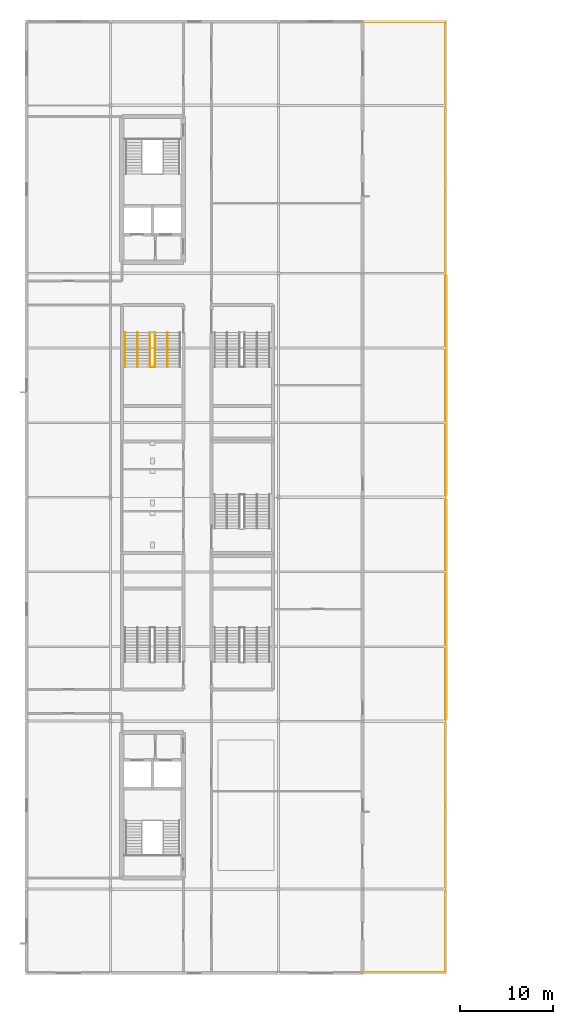
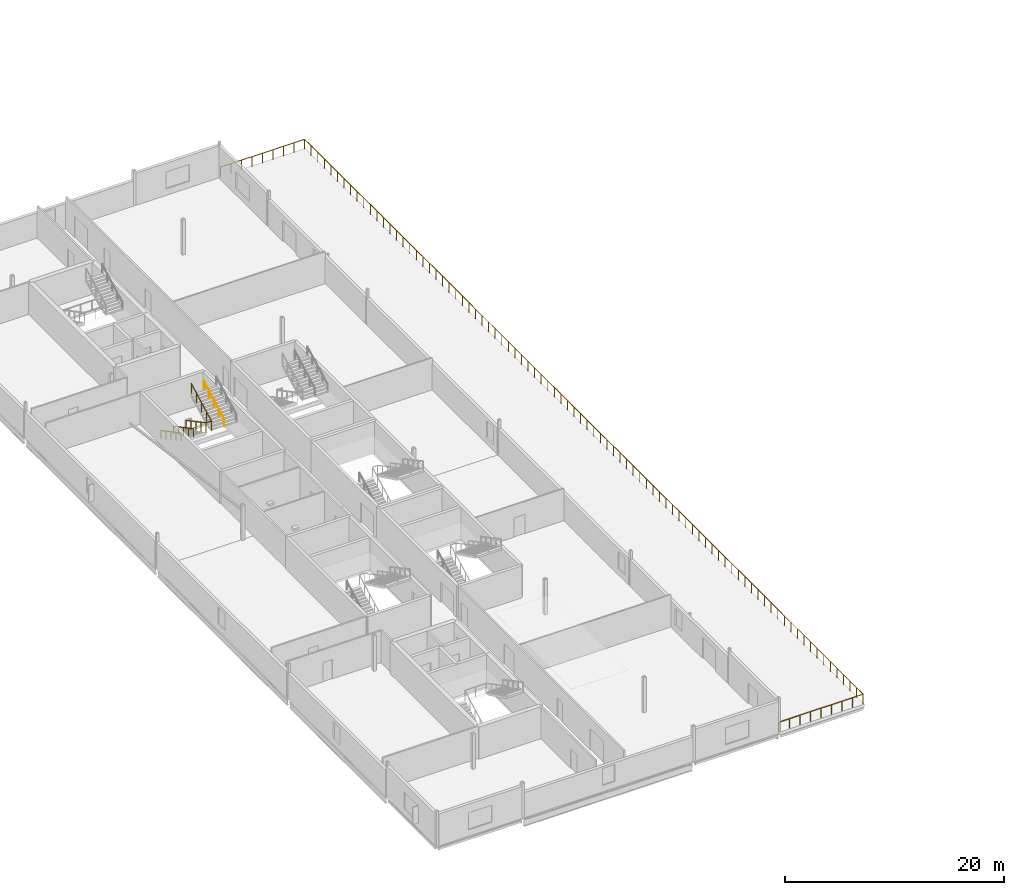
# One storey, part 49 of 55: 5 railings.
"""IFC4 building model written with IfcOpenShell, lengths in metres."""

from ifc_helpers import new_model, si_unit, direction, frame, origin, origin_2d, place, context, subcontext, project, spatial, circle, extrude, material, type_object, element, save


model = new_model("IFC4")

# Units and contexts
model_context = context("Model", 3, precision=1e-05, world=origin(), true_north=direction((0.0, 1.0)))
body_context = subcontext(model_context, "Body", "Model", "MODEL_VIEW")
ifc_project = project(units=[si_unit("LENGTHUNIT", "METRE"), si_unit("AREAUNIT", "SQUARE_METRE"), si_unit("VOLUMEUNIT", "CUBIC_METRE"), si_unit("PLANEANGLEUNIT", "RADIAN"), si_unit("MASSUNIT", "GRAM", prefix="KILO")], contexts=[model_context])

# Site, building, storey
site_placement = place(None, origin())
site = spatial("IfcSite", under=ifc_project, at=site_placement, CompositionType="ELEMENT")
building_placement = place(site_placement, origin())
building = spatial("IfcBuilding", under=site, at=building_placement, Name="Kisiwana Market Hall", CompositionType="ELEMENT")
storey_placement = place(building_placement, frame((0.0, 0.0, 37.800048828125)))
storey = spatial("IfcBuildingStorey", under=building, at=storey_placement, Name="L08", CompositionType="ELEMENT", Elevation=37.800048828125)

# Railings
ifc_material_1 = material(Name="Steel S275", Category="steel")
railing_type_1 = type_object("IfcRailingType", Name="RL-GUARD-1100", PredefinedType="GUARDRAIL", material=ifc_material_1)
railing_1_placement = place(storey_placement, frame((36.050048828125, 9.080078125, 0.0)))
element("IfcRailing", 1, at=railing_1_placement, inside=storey, type_object=railing_type_1, Name="L08 West Setback Terrace Guardrail 1100 RL-1700", PredefinedType="GUARDRAIL", context=body_context, shape_type="SweptSolid", body=[
    extrude(circle(Radius=0.02392578125, at=origin_2d()), frame((0.0, 0.0, 1.076171875), z_axis=(1.0, 0.0, 0.0), x_axis=(0.0, 1.0, 0.0)), (0.0, 0.0, 1.0), 8.869873046875),
    extrude(circle(Radius=0.02392578125, at=origin_2d()), frame((8.869873046875, 0.0, 1.076171875), z_axis=(0.0, 1.0, 0.0), x_axis=(-1.0, 0.0, 0.0)), (0.0, 0.0, 1.0), 101.83984375),
    extrude(circle(Radius=0.02392578125, at=origin_2d()), frame((8.869873046875, 101.83984375, 1.076171875), z_axis=(-1.0, 0.0, 0.0), x_axis=(0.0, -1.0, 0.0)), (0.0, 0.0, 1.0), 8.869873046875),
    extrude(circle(Radius=0.02099609375, at=origin_2d()), origin(), (0.0, 0.0, 1.0), 1.052001953125),
    extrude(circle(Radius=0.02099609375, at=origin_2d()), frame((1.108642578125, 0.0, 0.0)), (0.0, 0.0, 1.0), 1.052001953125),
    extrude(circle(Radius=0.02099609375, at=origin_2d()), frame((2.217529296875, 0.0, 0.0)), (0.0, 0.0, 1.0), 1.052001953125),
    extrude(circle(Radius=0.02099609375, at=origin_2d()), frame((3.326171875, 0.0, 0.0)), (0.0, 0.0, 1.0), 1.052001953125),
    extrude(circle(Radius=0.02099609375, at=origin_2d()), frame((4.43505859375, 0.0, 0.0)), (0.0, 0.0, 1.0), 1.052001953125),
    extrude(circle(Radius=0.02099609375, at=origin_2d()), frame((5.543701171875, 0.0, 0.0)), (0.0, 0.0, 1.0), 1.052001953125),
    extrude(circle(Radius=0.02099609375, at=origin_2d()), frame((6.65234375, 0.0, 0.0)), (0.0, 0.0, 1.0), 1.052001953125),
    extrude(circle(Radius=0.02099609375, at=origin_2d()), frame((7.76123046875, 0.0, 0.0)), (0.0, 0.0, 1.0), 1.052001953125),
    extrude(circle(Radius=0.02099609375, at=origin_2d()), frame((8.869873046875, 0.0, 0.0)), (0.0, 0.0, 1.0), 1.052001953125),
    extrude(circle(Radius=0.02099609375, at=origin_2d()), frame((8.869873046875, 1.197998046875, 0.0)), (0.0, 0.0, 1.0), 1.052001953125),
    extrude(circle(Radius=0.02099609375, at=origin_2d()), frame((8.869873046875, 2.396240234375, 0.0)), (0.0, 0.0, 1.0), 1.052001953125),
    extrude(circle(Radius=0.02099609375, at=origin_2d()), frame((8.869873046875, 3.59423828125, 0.0)), (0.0, 0.0, 1.0), 1.052001953125),
    extrude(circle(Radius=0.02099609375, at=origin_2d()), frame((8.869873046875, 4.79248046875, 0.0)), (0.0, 0.0, 1.0), 1.052001953125),
    extrude(circle(Radius=0.02099609375, at=origin_2d()), frame((8.869873046875, 5.990478515625, 0.0)), (0.0, 0.0, 1.0), 1.052001953125),
    extrude(circle(Radius=0.02099609375, at=origin_2d()), frame((8.869873046875, 7.188720703125, 0.0)), (0.0, 0.0, 1.0), 1.052001953125),
    extrude(circle(Radius=0.02099609375, at=origin_2d()), frame((8.869873046875, 8.38671875, 0.0)), (0.0, 0.0, 1.0), 1.052001953125),
    extrude(circle(Radius=0.02099609375, at=origin_2d()), frame((8.869873046875, 9.5849609375, 0.0)), (0.0, 0.0, 1.0), 1.052001953125),
    extrude(circle(Radius=0.02099609375, at=origin_2d()), frame((8.869873046875, 10.782958984375, 0.0)), (0.0, 0.0, 1.0), 1.052001953125),
    extrude(circle(Radius=0.02099609375, at=origin_2d()), frame((8.869873046875, 11.981201171875, 0.0)), (0.0, 0.0, 1.0), 1.052001953125),
    extrude(circle(Radius=0.02099609375, at=origin_2d()), frame((8.869873046875, 13.17919921875, 0.0)), (0.0, 0.0, 1.0), 1.052001953125),
    extrude(circle(Radius=0.02099609375, at=origin_2d()), frame((8.869873046875, 14.37744140625, 0.0)), (0.0, 0.0, 1.0), 1.052001953125),
    extrude(circle(Radius=0.02099609375, at=origin_2d()), frame((8.869873046875, 15.575439453125, 0.0)), (0.0, 0.0, 1.0), 1.052001953125),
    extrude(circle(Radius=0.02099609375, at=origin_2d()), frame((8.869873046875, 16.773681640625, 0.0)), (0.0, 0.0, 1.0), 1.052001953125),
    extrude(circle(Radius=0.02099609375, at=origin_2d()), frame((8.869873046875, 17.9716796875, 0.0)), (0.0, 0.0, 1.0), 1.052001953125),
    extrude(circle(Radius=0.02099609375, at=origin_2d()), frame((8.869873046875, 19.169921875, 0.0)), (0.0, 0.0, 1.0), 1.052001953125),
    extrude(circle(Radius=0.02099609375, at=origin_2d()), frame((8.869873046875, 20.367919921875, 0.0)), (0.0, 0.0, 1.0), 1.052001953125),
    extrude(circle(Radius=0.02099609375, at=origin_2d()), frame((8.869873046875, 21.566162109375, 0.0)), (0.0, 0.0, 1.0), 1.052001953125),
    extrude(circle(Radius=0.02099609375, at=origin_2d()), frame((8.869873046875, 22.76416015625, 0.0)), (0.0, 0.0, 1.0), 1.052001953125),
    extrude(circle(Radius=0.02099609375, at=origin_2d()), frame((8.869873046875, 23.96240234375, 0.0)), (0.0, 0.0, 1.0), 1.052001953125),
    extrude(circle(Radius=0.02099609375, at=origin_2d()), frame((8.869873046875, 25.160400390625, 0.0)), (0.0, 0.0, 1.0), 1.052001953125),
    extrude(circle(Radius=0.02099609375, at=origin_2d()), frame((8.869873046875, 26.358642578125, 0.0)), (0.0, 0.0, 1.0), 1.052001953125),
    extrude(circle(Radius=0.02099609375, at=origin_2d()), frame((8.869873046875, 27.556640625, 0.0)), (0.0, 0.0, 1.0), 1.052001953125),
    extrude(circle(Radius=0.02099609375, at=origin_2d()), frame((8.869873046875, 28.7548828125, 0.0)), (0.0, 0.0, 1.0), 1.052001953125),
    extrude(circle(Radius=0.02099609375, at=origin_2d()), frame((8.869873046875, 29.952880859375, 0.0)), (0.0, 0.0, 1.0), 1.052001953125),
    extrude(circle(Radius=0.02099609375, at=origin_2d()), frame((8.869873046875, 31.151123046875, 0.0)), (0.0, 0.0, 1.0), 1.052001953125),
    extrude(circle(Radius=0.02099609375, at=origin_2d()), frame((8.869873046875, 32.34912109375, 0.0)), (0.0, 0.0, 1.0), 1.052001953125),
    extrude(circle(Radius=0.02099609375, at=origin_2d()), frame((8.869873046875, 33.54736328125, 0.0)), (0.0, 0.0, 1.0), 1.052001953125),
    extrude(circle(Radius=0.02099609375, at=origin_2d()), frame((8.869873046875, 34.745361328125, 0.0)), (0.0, 0.0, 1.0), 1.052001953125),
    extrude(circle(Radius=0.02099609375, at=origin_2d()), frame((8.869873046875, 35.943359375, 0.0)), (0.0, 0.0, 1.0), 1.052001953125),
    extrude(circle(Radius=0.02099609375, at=origin_2d()), frame((8.869873046875, 37.1416015625, 0.0)), (0.0, 0.0, 1.0), 1.052001953125),
    extrude(circle(Radius=0.02099609375, at=origin_2d()), frame((8.869873046875, 38.339599609375, 0.0)), (0.0, 0.0, 1.0), 1.052001953125),
    extrude(circle(Radius=0.02099609375, at=origin_2d()), frame((8.869873046875, 39.537841796875, 0.0)), (0.0, 0.0, 1.0), 1.052001953125),
    extrude(circle(Radius=0.02099609375, at=origin_2d()), frame((8.869873046875, 40.73583984375, 0.0)), (0.0, 0.0, 1.0), 1.052001953125),
    extrude(circle(Radius=0.02099609375, at=origin_2d()), frame((8.869873046875, 41.93408203125, 0.0)), (0.0, 0.0, 1.0), 1.052001953125),
    extrude(circle(Radius=0.02099609375, at=origin_2d()), frame((8.869873046875, 43.132080078125, 0.0)), (0.0, 0.0, 1.0), 1.052001953125),
    extrude(circle(Radius=0.02099609375, at=origin_2d()), frame((8.869873046875, 44.330322265625, 0.0)), (0.0, 0.0, 1.0), 1.052001953125),
    extrude(circle(Radius=0.02099609375, at=origin_2d()), frame((8.869873046875, 45.5283203125, 0.0)), (0.0, 0.0, 1.0), 1.052001953125),
    extrude(circle(Radius=0.02099609375, at=origin_2d()), frame((8.869873046875, 46.7265625, 0.0)), (0.0, 0.0, 1.0), 1.052001953125),
    extrude(circle(Radius=0.02099609375, at=origin_2d()), frame((8.869873046875, 47.924560546875, 0.0)), (0.0, 0.0, 1.0), 1.052001953125),
    extrude(circle(Radius=0.02099609375, at=origin_2d()), frame((8.869873046875, 49.122802734375, 0.0)), (0.0, 0.0, 1.0), 1.052001953125),
    extrude(circle(Radius=0.02099609375, at=origin_2d()), frame((8.869873046875, 50.32080078125, 0.0)), (0.0, 0.0, 1.0), 1.052001953125),
    extrude(circle(Radius=0.02099609375, at=origin_2d()), frame((8.869873046875, 51.51904296875, 0.0)), (0.0, 0.0, 1.0), 1.052001953125),
    extrude(circle(Radius=0.02099609375, at=origin_2d()), frame((8.869873046875, 52.717041015625, 0.0)), (0.0, 0.0, 1.0), 1.052001953125),
    extrude(circle(Radius=0.02099609375, at=origin_2d()), frame((8.869873046875, 53.915283203125, 0.0)), (0.0, 0.0, 1.0), 1.052001953125),
    extrude(circle(Radius=0.02099609375, at=origin_2d()), frame((8.869873046875, 55.11328125, 0.0)), (0.0, 0.0, 1.0), 1.052001953125),
    extrude(circle(Radius=0.02099609375, at=origin_2d()), frame((8.869873046875, 56.3115234375, 0.0)), (0.0, 0.0, 1.0), 1.052001953125),
    extrude(circle(Radius=0.02099609375, at=origin_2d()), frame((8.869873046875, 57.509521484375, 0.0)), (0.0, 0.0, 1.0), 1.052001953125),
    extrude(circle(Radius=0.02099609375, at=origin_2d()), frame((8.869873046875, 58.707763671875, 0.0)), (0.0, 0.0, 1.0), 1.052001953125),
    extrude(circle(Radius=0.02099609375, at=origin_2d()), frame((8.869873046875, 59.90576171875, 0.0)), (0.0, 0.0, 1.0), 1.052001953125),
    extrude(circle(Radius=0.02099609375, at=origin_2d()), frame((8.869873046875, 61.10400390625, 0.0)), (0.0, 0.0, 1.0), 1.052001953125),
    extrude(circle(Radius=0.02099609375, at=origin_2d()), frame((8.869873046875, 62.302001953125, 0.0)), (0.0, 0.0, 1.0), 1.052001953125),
    extrude(circle(Radius=0.02099609375, at=origin_2d()), frame((8.869873046875, 63.500244140625, 0.0)), (0.0, 0.0, 1.0), 1.052001953125),
    extrude(circle(Radius=0.02099609375, at=origin_2d()), frame((8.869873046875, 64.6982421875, 0.0)), (0.0, 0.0, 1.0), 1.052001953125),
    extrude(circle(Radius=0.02099609375, at=origin_2d()), frame((8.869873046875, 65.896484375, 0.0)), (0.0, 0.0, 1.0), 1.052001953125),
    extrude(circle(Radius=0.02099609375, at=origin_2d()), frame((8.869873046875, 67.094482421875, 0.0)), (0.0, 0.0, 1.0), 1.052001953125),
    extrude(circle(Radius=0.02099609375, at=origin_2d()), frame((8.869873046875, 68.29248046875, 0.0)), (0.0, 0.0, 1.0), 1.052001953125),
    extrude(circle(Radius=0.02099609375, at=origin_2d()), frame((8.869873046875, 69.49072265625, 0.0)), (0.0, 0.0, 1.0), 1.052001953125),
    extrude(circle(Radius=0.02099609375, at=origin_2d()), frame((8.869873046875, 70.688720703125, 0.0)), (0.0, 0.0, 1.0), 1.052001953125),
    extrude(circle(Radius=0.02099609375, at=origin_2d()), frame((8.869873046875, 71.886962890625, 0.0)), (0.0, 0.0, 1.0), 1.052001953125),
    extrude(circle(Radius=0.02099609375, at=origin_2d()), frame((8.869873046875, 73.0849609375, 0.0)), (0.0, 0.0, 1.0), 1.052001953125),
    extrude(circle(Radius=0.02099609375, at=origin_2d()), frame((8.869873046875, 74.283203125, 0.0)), (0.0, 0.0, 1.0), 1.052001953125),
    extrude(circle(Radius=0.02099609375, at=origin_2d()), frame((8.869873046875, 75.481201171875, 0.0)), (0.0, 0.0, 1.0), 1.052001953125),
    extrude(circle(Radius=0.02099609375, at=origin_2d()), frame((8.869873046875, 76.679443359375, 0.0)), (0.0, 0.0, 1.0), 1.052001953125),
    extrude(circle(Radius=0.02099609375, at=origin_2d()), frame((8.869873046875, 77.87744140625, 0.0)), (0.0, 0.0, 1.0), 1.052001953125),
    extrude(circle(Radius=0.02099609375, at=origin_2d()), frame((8.869873046875, 79.07568359375, 0.0)), (0.0, 0.0, 1.0), 1.052001953125),
    extrude(circle(Radius=0.02099609375, at=origin_2d()), frame((8.869873046875, 80.273681640625, 0.0)), (0.0, 0.0, 1.0), 1.052001953125),
    extrude(circle(Radius=0.02099609375, at=origin_2d()), frame((8.869873046875, 81.471923828125, 0.0)), (0.0, 0.0, 1.0), 1.052001953125),
    extrude(circle(Radius=0.02099609375, at=origin_2d()), frame((8.869873046875, 82.669921875, 0.0)), (0.0, 0.0, 1.0), 1.052001953125),
    extrude(circle(Radius=0.02099609375, at=origin_2d()), frame((8.869873046875, 83.8681640625, 0.0)), (0.0, 0.0, 1.0), 1.052001953125),
    extrude(circle(Radius=0.02099609375, at=origin_2d()), frame((8.869873046875, 85.066162109375, 0.0)), (0.0, 0.0, 1.0), 1.052001953125),
    extrude(circle(Radius=0.02099609375, at=origin_2d()), frame((8.869873046875, 86.264404296875, 0.0)), (0.0, 0.0, 1.0), 1.052001953125),
    extrude(circle(Radius=0.02099609375, at=origin_2d()), frame((8.869873046875, 87.46240234375, 0.0)), (0.0, 0.0, 1.0), 1.052001953125),
    extrude(circle(Radius=0.02099609375, at=origin_2d()), frame((8.869873046875, 88.66064453125, 0.0)), (0.0, 0.0, 1.0), 1.052001953125),
    extrude(circle(Radius=0.02099609375, at=origin_2d()), frame((8.869873046875, 89.858642578125, 0.0)), (0.0, 0.0, 1.0), 1.052001953125),
    extrude(circle(Radius=0.02099609375, at=origin_2d()), frame((8.869873046875, 91.056884765625, 0.0)), (0.0, 0.0, 1.0), 1.052001953125),
    extrude(circle(Radius=0.02099609375, at=origin_2d()), frame((8.869873046875, 92.2548828125, 0.0)), (0.0, 0.0, 1.0), 1.052001953125),
    extrude(circle(Radius=0.02099609375, at=origin_2d()), frame((8.869873046875, 93.453125, 0.0)), (0.0, 0.0, 1.0), 1.052001953125),
    extrude(circle(Radius=0.02099609375, at=origin_2d()), frame((8.869873046875, 94.651123046875, 0.0)), (0.0, 0.0, 1.0), 1.052001953125),
    extrude(circle(Radius=0.02099609375, at=origin_2d()), frame((8.869873046875, 95.849365234375, 0.0)), (0.0, 0.0, 1.0), 1.052001953125),
    extrude(circle(Radius=0.02099609375, at=origin_2d()), frame((8.869873046875, 97.04736328125, 0.0)), (0.0, 0.0, 1.0), 1.052001953125),
    extrude(circle(Radius=0.02099609375, at=origin_2d()), frame((8.869873046875, 98.24560546875, 0.0)), (0.0, 0.0, 1.0), 1.052001953125),
    extrude(circle(Radius=0.02099609375, at=origin_2d()), frame((8.869873046875, 99.443603515625, 0.0)), (0.0, 0.0, 1.0), 1.052001953125),
    extrude(circle(Radius=0.02099609375, at=origin_2d()), frame((8.869873046875, 100.641845703125, 0.0)), (0.0, 0.0, 1.0), 1.052001953125),
    extrude(circle(Radius=0.02099609375, at=origin_2d()), frame((8.869873046875, 101.83984375, 0.0)), (0.0, 0.0, 1.0), 1.052001953125),
    extrude(circle(Radius=0.02099609375, at=origin_2d()), frame((7.76123046875, 101.83984375, 0.0)), (0.0, 0.0, 1.0), 1.052001953125),
    extrude(circle(Radius=0.02099609375, at=origin_2d()), frame((6.65234375, 101.83984375, 0.0)), (0.0, 0.0, 1.0), 1.052001953125),
    extrude(circle(Radius=0.02099609375, at=origin_2d()), frame((5.543701171875, 101.83984375, 0.0)), (0.0, 0.0, 1.0), 1.052001953125),
    extrude(circle(Radius=0.02099609375, at=origin_2d()), frame((4.43505859375, 101.83984375, 0.0)), (0.0, 0.0, 1.0), 1.052001953125),
    extrude(circle(Radius=0.02099609375, at=origin_2d()), frame((3.326171875, 101.83984375, 0.0)), (0.0, 0.0, 1.0), 1.052001953125),
    extrude(circle(Radius=0.02099609375, at=origin_2d()), frame((2.217529296875, 101.83984375, 0.0)), (0.0, 0.0, 1.0), 1.052001953125),
    extrude(circle(Radius=0.02099609375, at=origin_2d()), frame((1.108642578125, 101.83984375, 0.0)), (0.0, 0.0, 1.0), 1.052001953125),
    extrude(circle(Radius=0.02099609375, at=origin_2d()), frame((0.0, 101.83984375, 0.0)), (0.0, 0.0, 1.0), 1.052001953125),
])
railing_2_placement = place(storey_placement, frame((13.219970703125, 77.639892578125, 0.0)))
element("IfcRailing", 2, at=railing_2_placement, inside=storey, type_object=railing_type_1, Name="Stair ST-W4-L08 inner-well guardrail (RL-1153)", PredefinedType="GUARDRAIL", context=body_context, shape_type="SweptSolid", body=[
    extrude(circle(Radius=0.02392578125, at=origin_2d()), frame((0.0, 0.0, 1.076171875), z_axis=(0.0, -0.88255331184, 0.47021234752), x_axis=(1.0, 0.0, 0.0)), (0.0, 0.0, 1.0), 4.14697265625),
    extrude(circle(Radius=0.02392578125, at=origin_2d()), frame((0.0, -3.659912109375, 3.02587890625), z_axis=(1.0, 0.0, 0.0), x_axis=(0.0, 1.0, 0.0)), (0.0, 0.0, 1.0), 0.56005859375),
    extrude(circle(Radius=0.02392578125, at=origin_2d()), frame((0.56005859375, -3.659912109375, 3.02587890625), z_axis=(0.0, 0.88255331184, 0.47021234752), x_axis=(-1.0, 0.0, 0.0)), (0.0, 0.0, 1.0), 4.14697265625),
    extrude(circle(Radius=0.02099609375, at=origin_2d()), origin(), (0.0, 0.0, 1.0), 1.052001953125),
    extrude(circle(Radius=0.02099609375, at=origin_2d()), frame((0.0, -0.9150390625, 0.487548828125)), (0.0, 0.0, 1.0), 1.052001953125),
    extrude(circle(Radius=0.02099609375, at=origin_2d()), frame((0.0, -1.830078125, 0.97509765625)), (0.0, 0.0, 1.0), 1.052001953125),
    extrude(circle(Radius=0.02099609375, at=origin_2d()), frame((0.0, -2.744873046875, 1.46240234375)), (0.0, 0.0, 1.0), 1.052001953125),
    extrude(circle(Radius=0.02099609375, at=origin_2d()), frame((0.0, -3.659912109375, 1.949951171875)), (0.0, 0.0, 1.0), 1.052001953125),
    extrude(circle(Radius=0.02099609375, at=origin_2d()), frame((0.56005859375, -3.659912109375, 1.949951171875)), (0.0, 0.0, 1.0), 1.052001953125),
    extrude(circle(Radius=0.02099609375, at=origin_2d()), frame((0.56005859375, -2.744873046875, 2.4375)), (0.0, 0.0, 1.0), 1.052001953125),
    extrude(circle(Radius=0.02099609375, at=origin_2d()), frame((0.56005859375, -1.830078125, 2.9248046875)), (0.0, 0.0, 1.0), 1.052001953125),
    extrude(circle(Radius=0.02099609375, at=origin_2d()), frame((0.56005859375, -0.9150390625, 3.412353515625)), (0.0, 0.0, 1.0), 1.052001953125),
    extrude(circle(Radius=0.02099609375, at=origin_2d()), frame((0.56005859375, 0.0, 3.89990234375)), (0.0, 0.0, 1.0), 1.052001953125),
])
ifc_material_2 = material(Name="Steel S275", Category="steel")
railing_type_2 = type_object("IfcRailingType", Name="RL-HAND-900", PredefinedType="HANDRAIL", material=ifc_material_2)
for number, where, name in (
    (3, (10.570068359375, 77.639892578125, 0.0), "Stair ST-W4-L08 flight 1 handrail (RL-1154)"),
    (4, (11.889892578125, 77.639892578125, 0.0), "Stair ST-W4-L08 flight 1 intermediate handrail (RL-1156)"),
):
    element("IfcRailing", number, at=place(storey_placement, frame(where)), inside=storey, type_object=railing_type_2, Name=name, PredefinedType="HANDRAIL", context=body_context, shape_type="SweptSolid", body=[
        extrude(circle(Radius=0.02392578125, at=origin_2d()), frame((0.0, 0.0, 0.8759765625), z_axis=(0.0, -0.88255331184, 0.47021234752), x_axis=(1.0, 0.0, 0.0)), (0.0, 0.0, 1.0), 4.14697265625),
        extrude(circle(Radius=0.02099609375, at=origin_2d()), origin(), (0.0, 0.0, 1.0), 0.851806640625),
        extrude(circle(Radius=0.02099609375, at=origin_2d()), frame((0.0, -0.9150390625, 0.487548828125)), (0.0, 0.0, 1.0), 0.851806640625),
        extrude(circle(Radius=0.02099609375, at=origin_2d()), frame((0.0, -1.830078125, 0.97509765625)), (0.0, 0.0, 1.0), 0.851806640625),
        extrude(circle(Radius=0.02099609375, at=origin_2d()), frame((0.0, -2.744873046875, 1.46240234375)), (0.0, 0.0, 1.0), 0.851806640625),
        extrude(circle(Radius=0.02099609375, at=origin_2d()), frame((0.0, -3.659912109375, 1.949951171875)), (0.0, 0.0, 1.0), 0.851806640625),
    ])
railing_3_placement = place(storey_placement, frame((15.110107421875, 73.97998046875, 1.949951171875)))
element("IfcRailing", 5, at=railing_3_placement, inside=storey, type_object=railing_type_2, Name="Stair ST-W4-L08 flight 2 intermediate handrail (RL-1157)", PredefinedType="HANDRAIL", context=body_context, shape_type="SweptSolid", body=[
    extrude(circle(Radius=0.02392578125, at=origin_2d()), frame((0.0, 0.0, 0.8759765625), z_axis=(0.0, 0.88255331184, 0.47021234752), x_axis=(-1.0, 0.0, 0.0)), (0.0, 0.0, 1.0), 4.14697265625),
    extrude(circle(Radius=0.02099609375, at=origin_2d()), origin(), (0.0, 0.0, 1.0), 0.851806640625),
    extrude(circle(Radius=0.02099609375, at=origin_2d()), frame((0.0, 0.9150390625, 0.487548828125)), (0.0, 0.0, 1.0), 0.851806640625),
    extrude(circle(Radius=0.02099609375, at=origin_2d()), frame((0.0, 1.830078125, 0.97509765625)), (0.0, 0.0, 1.0), 0.851806640625),
    extrude(circle(Radius=0.02099609375, at=origin_2d()), frame((0.0, 2.744873046875, 1.46240234375)), (0.0, 0.0, 1.0), 0.851806640625),
    extrude(circle(Radius=0.02099609375, at=origin_2d()), frame((0.0, 3.659912109375, 1.949951171875)), (0.0, 0.0, 1.0), 0.851806640625),
])

save(model, "model.ifc")
